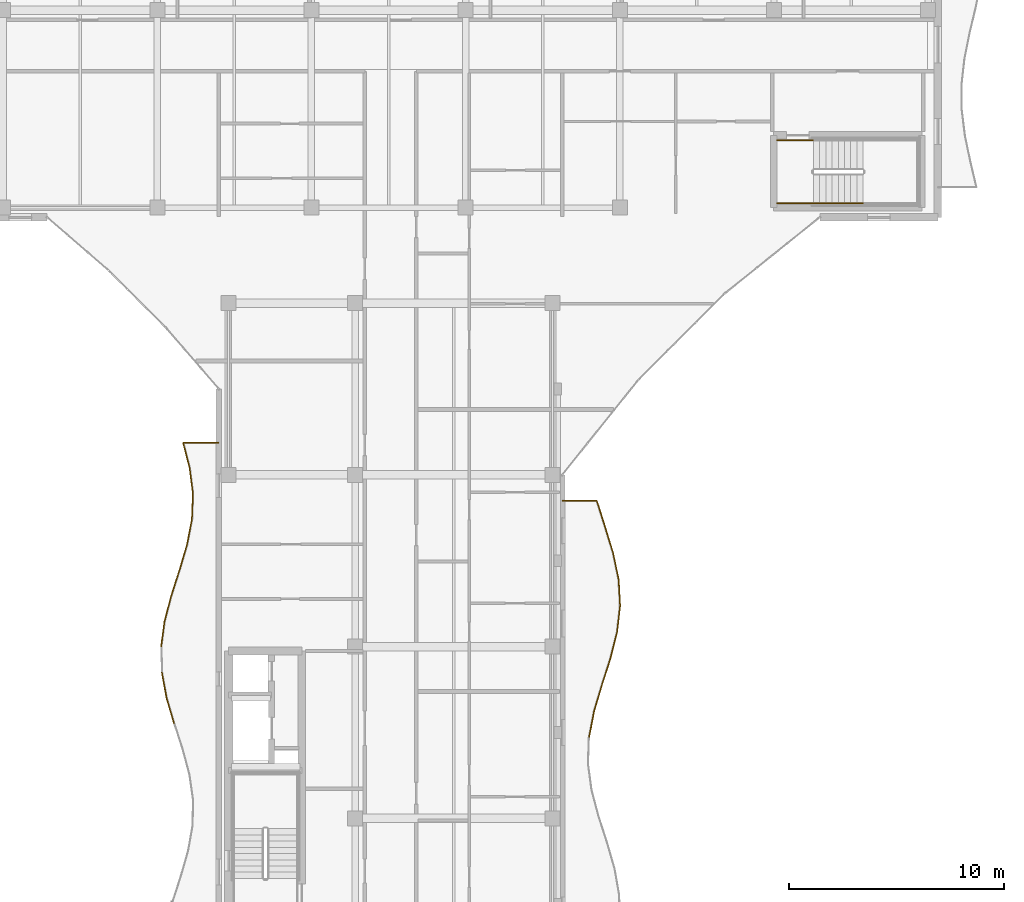
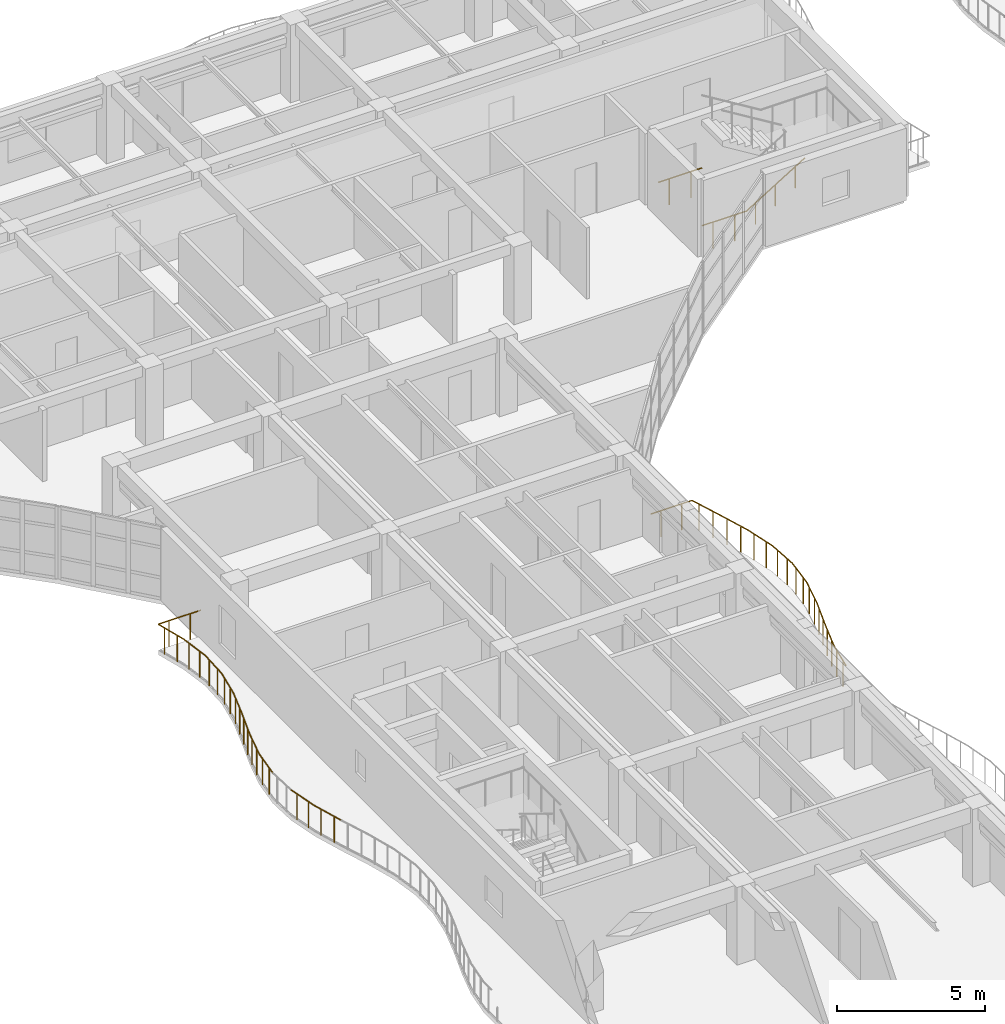
# One storey, part 118 of 128: 24 railings.
"""IFC4 building model written with IfcOpenShell, lengths in metres."""

from ifc_helpers import new_model, si_unit, direction, frame, origin, origin_2d, place, context, subcontext, project, spatial, circle, extrude, material, type_object, element, save


model = new_model("IFC4")

# Units and contexts
model_context = context("Model", 3, precision=1e-05, world=origin(), true_north=direction((0.0, 1.0)))
body_context = subcontext(model_context, "Body", "Model", "MODEL_VIEW")
ifc_project = project(units=[si_unit("LENGTHUNIT", "METRE"), si_unit("AREAUNIT", "SQUARE_METRE"), si_unit("VOLUMEUNIT", "CUBIC_METRE"), si_unit("PLANEANGLEUNIT", "RADIAN"), si_unit("MASSUNIT", "GRAM", prefix="KILO")], contexts=[model_context])

# Site, building, storey
site_placement = place(None, origin())
site = spatial("IfcSite", under=ifc_project, at=site_placement, CompositionType="ELEMENT")
building_placement = place(site_placement, origin())
building = spatial("IfcBuilding", under=site, at=building_placement, Name="Keldmere Railside Commons", CompositionType="ELEMENT")
storey_placement = place(building_placement, frame((0.0, 0.0, 4.159912109375)))
storey = spatial("IfcBuildingStorey", under=building, at=storey_placement, Name="L01", CompositionType="ELEMENT", Elevation=4.159912109375)

# Railings
ifc_material = material(Name="Steel F-24 (S235)", Category="steel")
railing_type_1 = type_object("IfcRailingType", Name="Balcony & Terrace Steel Balustrade 1100", PredefinedType="BALUSTRADE", material=ifc_material)
railing_1_placement = place(storey_placement, frame((121.251220703125, 75.77490234375, 0.0)))
element("IfcRailing", 1, at=railing_1_placement, inside=storey, type_object=railing_type_1, Name="GR-1 GRD-L01-1897", PredefinedType="BALUSTRADE", context=body_context, shape_type="SweptSolid", body=[
    extrude(circle(Radius=0.02392578125, at=origin_2d()), frame((0.0, 0.0, 1.076171875), z_axis=(0.189413452157, 0.981897420376, 0.0), x_axis=(-0.981897420376, 0.189413452157, 0.0)), (0.0, 0.0, 1.0), 1.247802734375),
    extrude(circle(Radius=0.02099609375, at=origin_2d()), frame((0.05908203125, 0.30615234375, 0.0)), (0.0, 0.0, 1.0), 1.048095703125),
    extrude(circle(Radius=0.02099609375, at=origin_2d()), frame((0.17724609375, 0.9189453125, 0.0)), (0.0, 0.0, 1.0), 1.048095703125),
])
railing_2_placement = place(storey_placement, frame((121.487548828125, 77.0, 0.0)))
element("IfcRailing", 2, at=railing_2_placement, inside=storey, type_object=railing_type_1, Name="GR-1 GRD-L01-1898", PredefinedType="BALUSTRADE", context=body_context, shape_type="SweptSolid", body=[
    extrude(circle(Radius=0.02392578125, at=origin_2d()), frame((0.0, 0.0, 1.076171875), z_axis=(0.285875882934, 0.958266653681, 0.0), x_axis=(-0.958266653681, 0.285875882934, 0.0)), (0.0, 0.0, 1.0), 1.278564453125),
    extrude(circle(Radius=0.02099609375, at=origin_2d()), frame((0.09130859375, 0.30615234375, 0.0)), (0.0, 0.0, 1.0), 1.048095703125),
    extrude(circle(Radius=0.02099609375, at=origin_2d()), frame((0.274169921875, 0.9189453125, 0.0)), (0.0, 0.0, 1.0), 1.048095703125),
])
railing_3_placement = place(storey_placement, frame((121.85302734375, 78.22509765625, 0.0)))
element("IfcRailing", 3, at=railing_3_placement, inside=storey, type_object=railing_type_1, Name="GR-1 GRD-L01-1899", PredefinedType="BALUSTRADE", context=body_context, shape_type="SweptSolid", body=[
    extrude(circle(Radius=0.02392578125, at=origin_2d()), frame((0.0, 0.0, 1.076171875), z_axis=(0.305044331352, 0.952338152081, 0.0), x_axis=(-0.952338152081, 0.305044331352, 0.0)), (0.0, 0.0, 1.0), 1.2861328125),
    extrude(circle(Radius=0.02099609375, at=origin_2d()), frame((0.09814453125, 0.30615234375, 0.0)), (0.0, 0.0, 1.0), 1.048095703125),
    extrude(circle(Radius=0.02099609375, at=origin_2d()), frame((0.294189453125, 0.918701171875, 0.0)), (0.0, 0.0, 1.0), 1.048095703125),
])
railing_4_placement = place(storey_placement, frame((122.245361328125, 79.449951171875, 0.0)))
element("IfcRailing", 4, at=railing_4_placement, inside=storey, type_object=railing_type_1, Name="GR-1 GRD-L01-1900", PredefinedType="BALUSTRADE", context=body_context, shape_type="SweptSolid", body=[
    extrude(circle(Radius=0.02392578125, at=origin_2d()), frame((0.0, 0.0, 1.076171875), z_axis=(0.245352921413, 0.969433826496, 0.0), x_axis=(-0.969433826496, 0.245352921413, 0.0)), (0.0, 0.0, 1.0), 1.263671875),
    extrude(circle(Radius=0.02099609375, at=origin_2d()), frame((0.07763671875, 0.30615234375, 0.0)), (0.0, 0.0, 1.0), 1.048095703125),
    extrude(circle(Radius=0.02099609375, at=origin_2d()), frame((0.232421875, 0.9189453125, 0.0)), (0.0, 0.0, 1.0), 1.048095703125),
])
railing_5_placement = place(storey_placement, frame((122.555419921875, 80.675048828125, 0.0)))
element("IfcRailing", 5, at=railing_5_placement, inside=storey, type_object=railing_type_1, Name="GR-1 GRD-L01-1901", PredefinedType="BALUSTRADE", context=body_context, shape_type="SweptSolid", body=[
    extrude(circle(Radius=0.02392578125, at=origin_2d()), frame((0.0, 0.0, 1.076171875), z_axis=(0.114451242756, 0.993428866619, 0.0), x_axis=(-0.993428866619, 0.114451242756, 0.0)), (0.0, 0.0, 1.0), 1.23291015625),
    extrude(circle(Radius=0.02099609375, at=origin_2d()), frame((0.03515625, 0.30615234375, 0.0)), (0.0, 0.0, 1.0), 1.048095703125),
    extrude(circle(Radius=0.02099609375, at=origin_2d()), frame((0.10595703125, 0.918701171875, 0.0)), (0.0, 0.0, 1.0), 1.048095703125),
])
railing_6_placement = place(storey_placement, frame((122.696533203125, 81.89990234375, 0.0)))
element("IfcRailing", 6, at=railing_6_placement, inside=storey, type_object=railing_type_1, Name="GR-1 GRD-L01-1902", PredefinedType="BALUSTRADE", context=body_context, shape_type="SweptSolid", body=[
    extrude(circle(Radius=0.02392578125, at=origin_2d()), frame((0.0, 0.0, 1.076171875), z_axis=(-0.054720599646, 0.998501705544, 0.0), x_axis=(-0.998501705544, -0.054720599646, 0.0)), (0.0, 0.0, 1.0), 1.22705078125),
    extrude(circle(Radius=0.02099609375, at=origin_2d()), frame((-0.016845703125, 0.30615234375, 0.0)), (0.0, 0.0, 1.0), 1.048095703125),
    extrude(circle(Radius=0.02099609375, at=origin_2d()), frame((-0.05029296875, 0.9189453125, 0.0)), (0.0, 0.0, 1.0), 1.048095703125),
])
railing_7_placement = place(storey_placement, frame((122.62939453125, 83.125, 0.0)))
element("IfcRailing", 7, at=railing_7_placement, inside=storey, type_object=railing_type_1, Name="GR-1 GRD-L01-1903", PredefinedType="BALUSTRADE", context=body_context, shape_type="SweptSolid", body=[
    extrude(circle(Radius=0.02392578125, at=origin_2d()), frame((0.0, 0.0, 1.076171875), z_axis=(-0.204997868272, 0.978762419591, 0.0), x_axis=(-0.978762419591, -0.204997868272, 0.0)), (0.0, 0.0, 1.0), 1.251708984375),
    extrude(circle(Radius=0.02099609375, at=origin_2d()), frame((-0.064208984375, 0.30615234375, 0.0)), (0.0, 0.0, 1.0), 1.048095703125),
    extrude(circle(Radius=0.02099609375, at=origin_2d()), frame((-0.1923828125, 0.9189453125, 0.0)), (0.0, 0.0, 1.0), 1.048095703125),
])
railing_8_placement = place(storey_placement, frame((122.372802734375, 84.35009765625, 0.0)))
element("IfcRailing", 8, at=railing_8_placement, inside=storey, type_object=railing_type_1, Name="GR-1 GRD-L01-1904", PredefinedType="BALUSTRADE", context=body_context, shape_type="SweptSolid", body=[
    extrude(circle(Radius=0.02392578125, at=origin_2d()), frame((0.0, 0.0, 1.076171875), z_axis=(-0.292397707766, 0.956296805648, 0.0), x_axis=(-0.956296805648, -0.292397707766, 0.0)), (0.0, 0.0, 1.0), 1.28076171875),
    extrude(circle(Radius=0.02099609375, at=origin_2d()), frame((-0.09375, 0.30615234375, 0.0)), (0.0, 0.0, 1.0), 1.048095703125),
    extrude(circle(Radius=0.02099609375, at=origin_2d()), frame((-0.28076171875, 0.918701171875, 0.0)), (0.0, 0.0, 1.0), 1.048095703125),
])
railing_9_placement = place(storey_placement, frame((121.998291015625, 85.574951171875, 0.0)))
element("IfcRailing", 9, at=railing_9_placement, inside=storey, type_object=railing_type_1, Name="GR-1 GRD-L01-1905", PredefinedType="BALUSTRADE", context=body_context, shape_type="SweptSolid", body=[
    extrude(circle(Radius=0.02392578125, at=origin_2d()), frame((0.0, 0.0, 1.076171875), z_axis=(-0.302058604738, 0.953289357595, 0.0), x_axis=(-0.953289357595, -0.302058604738, 0.0)), (0.0, 0.0, 1.0), 1.28515625),
    extrude(circle(Radius=0.02099609375, at=origin_2d()), frame((-0.09716796875, 0.30615234375, 0.0)), (0.0, 0.0, 1.0), 1.048095703125),
    extrude(circle(Radius=0.02099609375, at=origin_2d()), frame((-0.291015625, 0.9189453125, 0.0)), (0.0, 0.0, 1.0), 1.048095703125),
])
railing_10_placement = place(storey_placement, frame((121.610107421875, 86.800048828125, 0.0)))
element("IfcRailing", 10, at=railing_10_placement, inside=storey, type_object=railing_type_1, Name="GR-1 GRD-L01-1906", PredefinedType="BALUSTRADE", context=body_context, shape_type="SweptSolid", body=[
    extrude(circle(Radius=0.02392578125, at=origin_2d()), frame((0.0, 0.0, 1.076171875), z_axis=(-1.0, 0.0, 0.0), x_axis=(0.0, -1.0, 0.0)), (0.0, 0.0, 1.0), 1.610107421875),
    extrude(circle(Radius=0.02099609375, at=origin_2d()), frame((-0.402587890625, 0.0, 0.0)), (0.0, 0.0, 1.0), 1.048095703125),
    extrude(circle(Radius=0.02099609375, at=origin_2d()), frame((-1.20751953125, 0.0, 0.0)), (0.0, 0.0, 1.0), 1.048095703125),
])
railing_11_placement = place(storey_placement, frame((101.9130859375, 76.422119140625, 0.0)))
element("IfcRailing", 11, at=railing_11_placement, inside=storey, type_object=railing_type_1, Name="GR-1 GRD-L01-1924", PredefinedType="BALUSTRADE", context=body_context, shape_type="SweptSolid", body=[
    extrude(circle(Radius=0.02392578125, at=origin_2d()), frame((0.0, 0.0, 1.076171875), z_axis=(-0.280650793219, 0.959809945909, 0.0), x_axis=(-0.959809945909, -0.280650793219, 0.0)), (0.0, 0.0, 1.0), 1.23876953125),
    extrude(circle(Radius=0.02099609375, at=origin_2d()), frame((-0.0869140625, 0.29736328125, 0.0)), (0.0, 0.0, 1.0), 1.048095703125),
    extrude(circle(Radius=0.02099609375, at=origin_2d()), frame((-0.2607421875, 0.8916015625, 0.0)), (0.0, 0.0, 1.0), 1.048095703125),
])
railing_12_placement = place(storey_placement, frame((101.5654296875, 77.611083984375, 0.0)))
element("IfcRailing", 12, at=railing_12_placement, inside=storey, type_object=railing_type_1, Name="GR-1 GRD-L01-1925", PredefinedType="BALUSTRADE", context=body_context, shape_type="SweptSolid", body=[
    extrude(circle(Radius=0.02392578125, at=origin_2d()), frame((0.0, 0.0, 1.076171875), z_axis=(-0.181922961128, 0.983312786561, 0.0), x_axis=(-0.983312786561, -0.181922961128, 0.0)), (0.0, 0.0, 1.0), 1.209228515625),
    extrude(circle(Radius=0.02099609375, at=origin_2d()), frame((-0.054931640625, 0.29736328125, 0.0)), (0.0, 0.0, 1.0), 1.048095703125),
    extrude(circle(Radius=0.02099609375, at=origin_2d()), frame((-0.1650390625, 0.8916015625, 0.0)), (0.0, 0.0, 1.0), 1.048095703125),
])
railing_13_placement = place(storey_placement, frame((101.310791015625, 79.989013671875, 0.0)))
element("IfcRailing", 13, at=railing_13_placement, inside=storey, type_object=railing_type_1, Name="GR-1 GRD-L01-1927", PredefinedType="BALUSTRADE", context=body_context, shape_type="SweptSolid", body=[
    extrude(circle(Radius=0.02392578125, at=origin_2d()), frame((0.0, 0.0, 1.076171875), z_axis=(0.133123645941, 0.991099437439, 0.0), x_axis=(-0.991099437439, 0.133123645941, 0.0)), (0.0, 0.0, 1.0), 1.199462890625),
    extrude(circle(Radius=0.02099609375, at=origin_2d()), frame((0.0400390625, 0.297119140625, 0.0)), (0.0, 0.0, 1.0), 1.048095703125),
    extrude(circle(Radius=0.02099609375, at=origin_2d()), frame((0.11962890625, 0.8916015625, 0.0)), (0.0, 0.0, 1.0), 1.048095703125),
])
railing_14_placement = place(storey_placement, frame((101.470458984375, 81.177734375, 0.0)))
element("IfcRailing", 14, at=railing_14_placement, inside=storey, type_object=railing_type_1, Name="GR-1 GRD-L01-1928", PredefinedType="BALUSTRADE", context=body_context, shape_type="SweptSolid", body=[
    extrude(circle(Radius=0.02392578125, at=origin_2d()), frame((0.0, 0.0, 1.076171875), z_axis=(0.254200027346, 0.967151666543, 0.0), x_axis=(-0.967151666543, 0.254200027346, 0.0)), (0.0, 0.0, 1.0), 1.229248046875),
    extrude(circle(Radius=0.02099609375, at=origin_2d()), frame((0.078125, 0.29736328125, 0.0)), (0.0, 0.0, 1.0), 1.048095703125),
    extrude(circle(Radius=0.02099609375, at=origin_2d()), frame((0.234375, 0.8916015625, 0.0)), (0.0, 0.0, 1.0), 1.048095703125),
])
railing_15_placement = place(storey_placement, frame((101.782958984375, 82.36669921875, 0.0)))
element("IfcRailing", 15, at=railing_15_placement, inside=storey, type_object=railing_type_1, Name="GR-1 GRD-L01-1929", PredefinedType="BALUSTRADE", context=body_context, shape_type="SweptSolid", body=[
    extrude(circle(Radius=0.02392578125, at=origin_2d()), frame((0.0, 0.0, 1.076171875), z_axis=(0.306300223128, 0.951934962753, 0.0), x_axis=(-0.951934962753, 0.306300223128, 0.0)), (0.0, 0.0, 1.0), 1.2490234375),
    extrude(circle(Radius=0.02099609375, at=origin_2d()), frame((0.095703125, 0.29736328125, 0.0)), (0.0, 0.0, 1.0), 1.048095703125),
    extrude(circle(Radius=0.02099609375, at=origin_2d()), frame((0.286865234375, 0.8916015625, 0.0)), (0.0, 0.0, 1.0), 1.048095703125),
])
railing_16_placement = place(storey_placement, frame((102.16552734375, 83.5556640625, 0.0)))
element("IfcRailing", 16, at=railing_16_placement, inside=storey, type_object=railing_type_1, Name="GR-1 GRD-L01-1930", PredefinedType="BALUSTRADE", context=body_context, shape_type="SweptSolid", body=[
    extrude(circle(Radius=0.02392578125, at=origin_2d()), frame((0.0, 0.0, 1.076171875), z_axis=(0.283967638723, 0.958833864732, 0.0), x_axis=(-0.958833864732, 0.283967638723, 0.0)), (0.0, 0.0, 1.0), 1.23974609375),
    extrude(circle(Radius=0.02099609375, at=origin_2d()), frame((0.087890625, 0.297119140625, 0.0)), (0.0, 0.0, 1.0), 1.048095703125),
    extrude(circle(Radius=0.02099609375, at=origin_2d()), frame((0.26416015625, 0.8916015625, 0.0)), (0.0, 0.0, 1.0), 1.048095703125),
])
railing_17_placement = place(storey_placement, frame((102.517578125, 84.744384765625, 0.0)))
element("IfcRailing", 17, at=railing_17_placement, inside=storey, type_object=railing_type_1, Name="GR-1 GRD-L01-1931", PredefinedType="BALUSTRADE", context=body_context, shape_type="SweptSolid", body=[
    extrude(circle(Radius=0.02392578125, at=origin_2d()), frame((0.0, 0.0, 1.076171875), z_axis=(0.189325979188, 0.981914290356, 0.0), x_axis=(-0.981914290356, 0.189325979188, 0.0)), (0.0, 0.0, 1.0), 1.2109375),
    extrude(circle(Radius=0.02099609375, at=origin_2d()), frame((0.057373046875, 0.29736328125, 0.0)), (0.0, 0.0, 1.0), 1.048095703125),
    extrude(circle(Radius=0.02099609375, at=origin_2d()), frame((0.171875, 0.8916015625, 0.0)), (0.0, 0.0, 1.0), 1.048095703125),
])
railing_18_placement = place(storey_placement, frame((102.746826171875, 85.933349609375, 0.0)))
element("IfcRailing", 18, at=railing_18_placement, inside=storey, type_object=railing_type_1, Name="GR-1 GRD-L01-1932", PredefinedType="BALUSTRADE", context=body_context, shape_type="SweptSolid", body=[
    extrude(circle(Radius=0.02392578125, at=origin_2d()), frame((0.0, 0.0, 1.076171875), z_axis=(0.038574963719, 0.999255709103, 0.0), x_axis=(-0.999255709103, 0.038574963719, 0.0)), (0.0, 0.0, 1.0), 1.18994140625),
    extrude(circle(Radius=0.02099609375, at=origin_2d()), frame((0.011474609375, 0.29736328125, 0.0)), (0.0, 0.0, 1.0), 1.048095703125),
    extrude(circle(Radius=0.02099609375, at=origin_2d()), frame((0.034423828125, 0.8916015625, 0.0)), (0.0, 0.0, 1.0), 1.048095703125),
])
railing_19_placement = place(storey_placement, frame((102.792724609375, 87.122314453125, 0.0)))
element("IfcRailing", 19, at=railing_19_placement, inside=storey, type_object=railing_type_1, Name="GR-1 GRD-L01-1933", PredefinedType="BALUSTRADE", context=body_context, shape_type="SweptSolid", body=[
    extrude(circle(Radius=0.02392578125, at=origin_2d()), frame((0.0, 0.0, 1.076171875), z_axis=(-0.124912474812, 0.992167764865, 0.0), x_axis=(-0.992167764865, -0.124912474812, 0.0)), (0.0, 0.0, 1.0), 1.197998046875),
    extrude(circle(Radius=0.02099609375, at=origin_2d()), frame((-0.037353515625, 0.297119140625, 0.0)), (0.0, 0.0, 1.0), 1.048095703125),
    extrude(circle(Radius=0.02099609375, at=origin_2d()), frame((-0.1123046875, 0.8916015625, 0.0)), (0.0, 0.0, 1.0), 1.048095703125),
])
railing_20_placement = place(storey_placement, frame((102.64306640625, 88.31103515625, 0.0)))
element("IfcRailing", 20, at=railing_20_placement, inside=storey, type_object=railing_type_1, Name="GR-1 GRD-L01-1934", PredefinedType="BALUSTRADE", context=body_context, shape_type="SweptSolid", body=[
    extrude(circle(Radius=0.02392578125, at=origin_2d()), frame((0.0, 0.0, 1.076171875), z_axis=(-0.248987742956, 0.968506635939, 0.0), x_axis=(-0.968506635939, -0.248987742956, 0.0)), (0.0, 0.0, 1.0), 1.2275390625),
    extrude(circle(Radius=0.02099609375, at=origin_2d()), frame((-0.076416015625, 0.29736328125, 0.0)), (0.0, 0.0, 1.0), 1.048095703125),
    extrude(circle(Radius=0.02099609375, at=origin_2d()), frame((-0.229248046875, 0.8916015625, 0.0)), (0.0, 0.0, 1.0), 1.048095703125),
])
railing_21_placement = place(storey_placement, frame((102.33740234375, 89.5, 0.0)))
element("IfcRailing", 21, at=railing_21_placement, inside=storey, type_object=railing_type_1, Name="GR-1 GRD-L01-1935", PredefinedType="BALUSTRADE", context=body_context, shape_type="SweptSolid", body=[
    extrude(circle(Radius=0.02392578125, at=origin_2d()), frame((0.0, 0.0, 1.076171875), z_axis=(1.0, 0.0, 0.0), x_axis=(0.0, 1.0, 0.0)), (0.0, 0.0, 1.0), 1.66259765625),
    extrude(circle(Radius=0.02099609375, at=origin_2d()), frame((0.41552734375, 0.0, 0.0)), (0.0, 0.0, 1.0), 1.048095703125),
    extrude(circle(Radius=0.02099609375, at=origin_2d()), frame((1.2470703125, 0.0, 0.0)), (0.0, 0.0, 1.0), 1.048095703125),
])
railing_type_2 = type_object("IfcRailingType", Name="Stair Well Steel Guardrail 1100", PredefinedType="BALUSTRADE", material=ifc_material)
for number, where, name in (
    (22, (130.0, 100.64990234375, 0.0), "L01 ST-B2 stair guard 8"),
    (23, (130.0, 103.60009765625, 0.0), "L01 ST-B2 stair guard 9"),
):
    element("IfcRailing", number, at=place(storey_placement, frame(where)), inside=storey, type_object=railing_type_2, Name=name, PredefinedType="BALUSTRADE", context=body_context, shape_type="SweptSolid", body=[
        extrude(circle(Radius=0.02392578125, at=origin_2d()), frame((0.0, 0.0, 1.076171875), z_axis=(1.0, 0.0, 0.0), x_axis=(0.0, 1.0, 0.0)), (0.0, 0.0, 1.0), 1.699951171875),
        extrude(circle(Radius=0.02099609375, at=origin_2d()), frame((0.425048828125, 0.0, 0.0)), (0.0, 0.0, 1.0), 1.048095703125),
        extrude(circle(Radius=0.02099609375, at=origin_2d()), frame((1.27490234375, 0.0, 0.0)), (0.0, 0.0, 1.0), 1.048095703125),
    ])
railing_type_3 = type_object("IfcRailingType", Name="Wall-Mounted Tubular Steel Handrail 900", PredefinedType="HANDRAIL", material=ifc_material)
railing_22_placement = place(storey_placement, frame((131.699951171875, 100.64990234375, 0.177978515625)))
element("IfcRailing", 24, at=railing_22_placement, inside=storey, type_object=railing_type_3, Name="L01 ST-B2 stair handrail 1", PredefinedType="HANDRAIL", context=body_context, shape_type="SweptSolid", body=[
    extrude(circle(Radius=0.02392578125, at=origin_2d()), frame((0.0, 0.0, 0.8759765625), z_axis=(0.852578041948, 0.0, 0.522599925744), x_axis=(0.0, 1.0, 0.0)), (0.0, 0.0, 1.0), 2.72119140625),
    extrude(circle(Radius=0.02099609375, at=origin_2d()), frame((0.38671875, 0.0, 0.237060546875)), (0.0, 0.0, 1.0), 0.847900390625),
    extrude(circle(Radius=0.02099609375, at=origin_2d()), frame((1.16015625, 0.0, 0.7109375)), (0.0, 0.0, 1.0), 0.847900390625),
    extrude(circle(Radius=0.02099609375, at=origin_2d()), frame((1.933349609375, 0.0, 1.18505859375)), (0.0, 0.0, 1.0), 0.847900390625),
])

save(model, "model.ifc")
